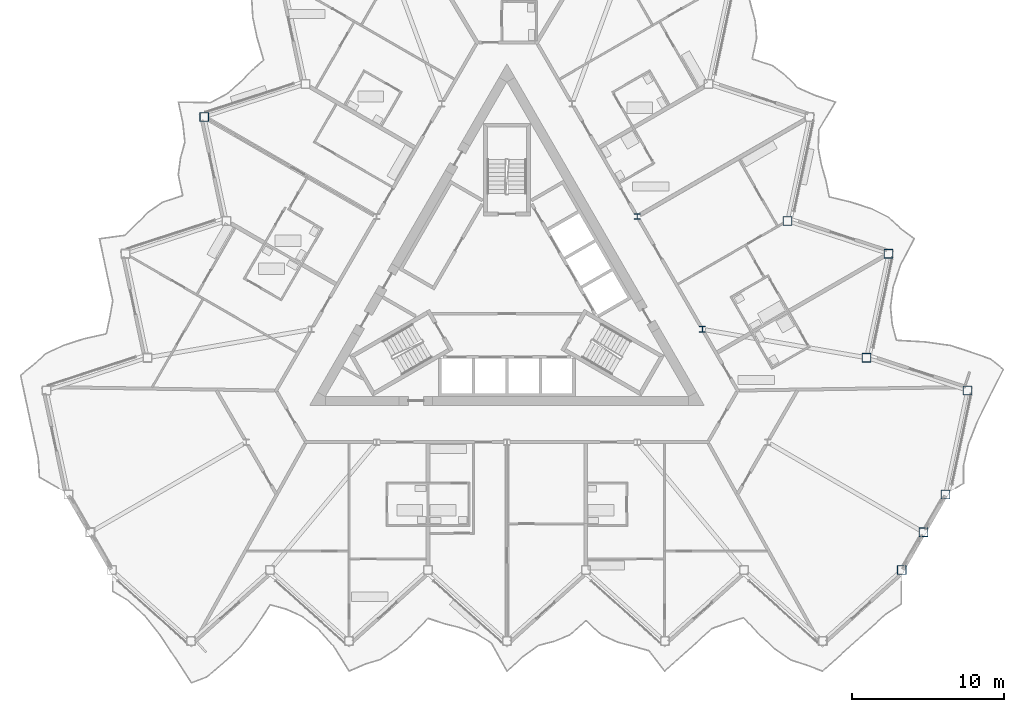
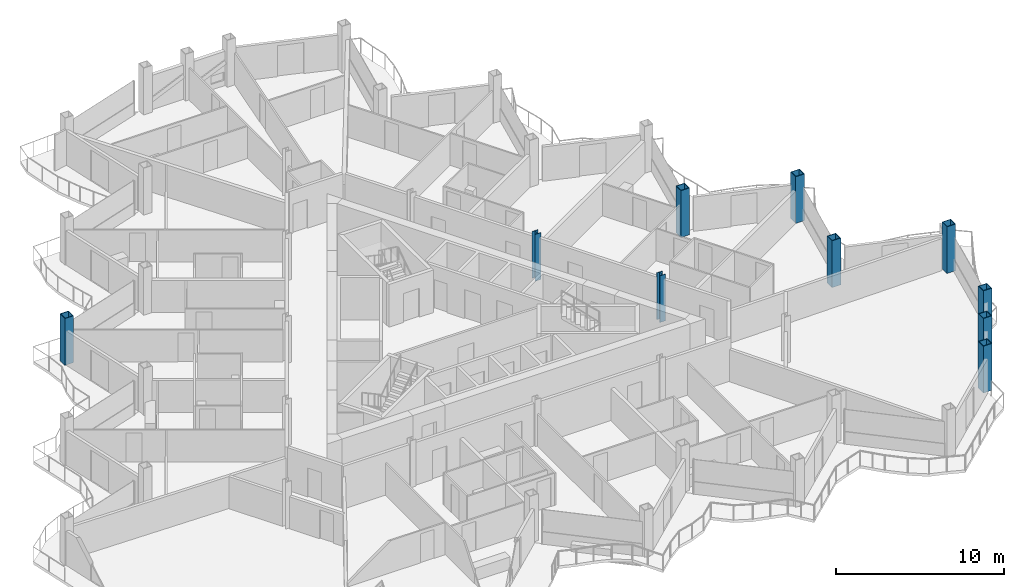
# One storey, part 2 of 26: 10 columns.
"""IFC4 building model written with IfcOpenShell, lengths in metres."""

from ifc_helpers import new_model, si_unit, direction, frame, origin, origin_2d, place, context, subcontext, project, spatial, hollow_rectangle, i_section, extrude, material, material_profile, profile_set, type_object, element, save


model = new_model("IFC4")

# Units and contexts
model_context = context("Model", 3, precision=1e-05, world=origin(), true_north=direction((0.0, 1.0)))
body_context = subcontext(model_context, "Body", "Model", "MODEL_VIEW")
ifc_project = project(units=[si_unit("LENGTHUNIT", "METRE"), si_unit("AREAUNIT", "SQUARE_METRE"), si_unit("VOLUMEUNIT", "CUBIC_METRE"), si_unit("PLANEANGLEUNIT", "RADIAN"), si_unit("MASSUNIT", "GRAM", prefix="KILO")], contexts=[model_context])

# Site, building, storey
site_placement = place(None, origin())
site = spatial("IfcSite", under=ifc_project, at=site_placement, CompositionType="ELEMENT")
building_placement = place(site_placement, origin())
building = spatial("IfcBuilding", under=site, at=building_placement, Name="Cormorant Prow Tower", CompositionType="ELEMENT")
storey_placement = place(building_placement, frame((0.0, 0.0, 325.60009765625)))
storey = spatial("IfcBuildingStorey", under=building, at=storey_placement, Name="L72", CompositionType="ELEMENT", Elevation=325.60009765625)

# Columns
ifc_material_1 = material(Name="Structural steel ASTM A572 Gr 50", Category="steel")
ifc_material_profile_1 = material_profile(ifc_material_1, hollow_rectangle(XDim=0.60009765625, YDim=0.60009765625, WallThickness=0.0400390625, at=origin_2d()), Name="Box 600x600x40")
ifc_profile_set_1 = profile_set([ifc_material_profile_1], Name="Structural steel ASTM A572 Gr 50")
column_type_1 = type_object("IfcColumnType", Name="Perimeter box column 600x600x40", PredefinedType="COLUMN", material=ifc_profile_set_1)
for number, where, z_axis, x_axis, name in (
    (1, (25.995361328125, -18.326904296875, 0.0), (0.0, 0.0, 1.0), (1.0, 0.0, 0.0), "Perimeter column C6 at ESE00 L72"),
    (2, (27.432373046875, -15.838134765625, 0.0), (0.0, 0.0, 1.0), (1.0, 0.0, 0.0), "Perimeter column C6 at ESE01 L72"),
    (3, (28.869140625, -13.349365234375, 0.0), (0.0, 0.0, 1.0), (1.0, 0.0, 0.0), "Perimeter column C6 at ENE00 L72"),
    (4, (30.32373046875, -6.506103515625, 0.0), (0.0, 0.0, 1.0), (1.0, 0.0, 0.0), "Perimeter column C6 at ENE01 L72"),
    (5, (23.670166015625, -4.34423828125, 0.0), (0.0, 0.0, 1.0), (1.0, 0.0, 0.0), "Perimeter column C6 at ENE02 L72"),
    (6, (25.124755859375, 2.4990234375, 0.0), (0.0, 0.0, 1.0), (1.0, 0.0, 0.0), "Perimeter column C6 at ENE03 L72"),
    (7, (18.470947265625, 4.660888671875, 0.0), (0.0, 0.0, 1.0), (1.0, 0.0, 0.0), "Perimeter column C6 at ENE04 L72"),
    (8, (-19.925537109375, 11.504150390625, 0.0), (0.0, 0.0, 1.0), (1.0, 0.0, 0.0), "Perimeter column C6 at WNW05 L72"),
):
    element("IfcColumn", number, at=place(storey_placement, frame(where, z_axis=z_axis, x_axis=x_axis)), inside=storey, type_object=column_type_1, Name=name, PredefinedType="COLUMN", context=body_context, shape_type="SweptSolid", body=[
        extrude(hollow_rectangle(XDim=0.60009765625, YDim=0.60009765625, WallThickness=0.0400390625, at=origin_2d()), origin(), (0.0, 0.0, 1.0), 3.39990234375),
    ])
ifc_material_2 = material(Name="Structural steel ASTM A992 Gr 50", Category="steel")
ifc_material_profile_2 = material_profile(ifc_material_2, i_section(OverallWidth=0.3955078125, OverallDepth=0.380615234375, WebThickness=0.018798828125, FlangeThickness=0.0302734375, at=origin_2d()), Name="W14x159")
ifc_profile_set_2 = profile_set([ifc_material_profile_2], Name="Structural steel ASTM A992 Gr 50")
column_type_2 = type_object("IfcColumnType", Name="Ring column W14x159", PredefinedType="COLUMN", material=ifc_profile_set_2)
for number, where, z_axis, x_axis, name in (
    (9, (12.86767578125, -2.476318359375, 0.0), (0.0, 0.0, 1.0), (1.0, 0.0, 0.0), "Ring column 10 L72"),
    (10, (8.578369140625, 4.952880859375, 0.0), (0.0, 0.0, 1.0), (1.0, 0.0, 0.0), "Ring column 11 L72"),
):
    element("IfcColumn", number, at=place(storey_placement, frame(where, z_axis=z_axis, x_axis=x_axis)), inside=storey, type_object=column_type_2, Name=name, PredefinedType="COLUMN", context=body_context, shape_type="SweptSolid", body=[
        extrude(i_section(OverallWidth=0.3955078125, OverallDepth=0.380615234375, WebThickness=0.018798828125, FlangeThickness=0.0302734375, at=origin_2d()), origin(), (0.0, 0.0, 1.0), 3.39990234375),
    ])

save(model, "model.ifc")
